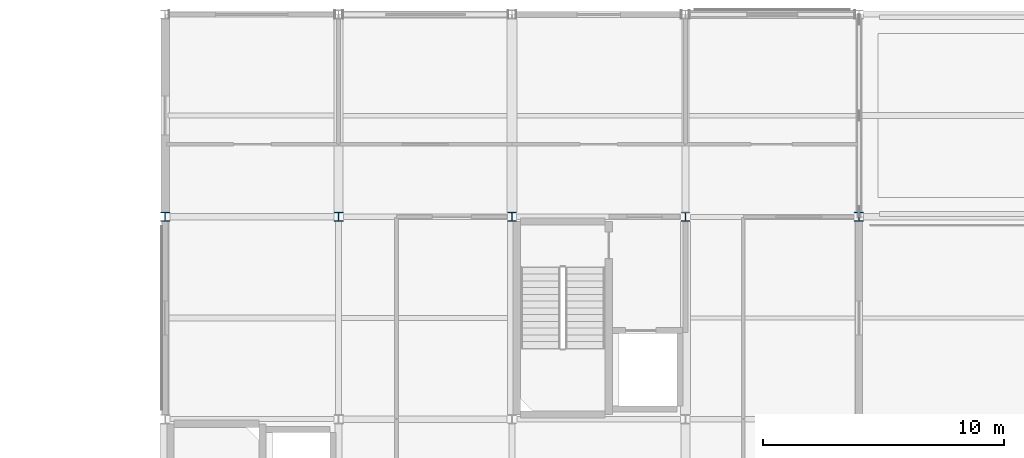
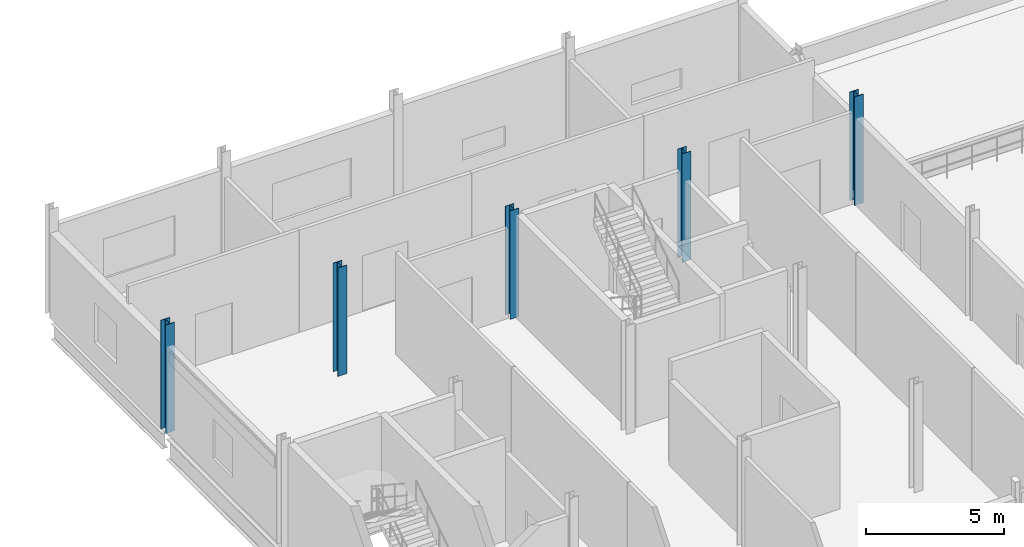
# One storey, part 6 of 72: 5 columns.
"""IFC4 building model written with IfcOpenShell, lengths in metres."""

from ifc_helpers import new_model, si_unit, direction, frame, origin, origin_2d, place, context, subcontext, project, spatial, i_section, extrude, material, material_profile, profile_set, type_object, element, save


model = new_model("IFC4")

# Units and contexts
model_context = context("Model", 3, precision=1e-05, world=origin(), true_north=direction((0.0, 1.0)))
body_context = subcontext(model_context, "Body", "Model", "MODEL_VIEW")
ifc_project = project(units=[si_unit("LENGTHUNIT", "METRE"), si_unit("AREAUNIT", "SQUARE_METRE"), si_unit("VOLUMEUNIT", "CUBIC_METRE"), si_unit("PLANEANGLEUNIT", "RADIAN"), si_unit("MASSUNIT", "GRAM", prefix="KILO")], contexts=[model_context])

# Site, building, storey
site_placement = place(None, origin())
site = spatial("IfcSite", under=ifc_project, at=site_placement, CompositionType="ELEMENT")
building_placement = place(site_placement, origin())
building = spatial("IfcBuilding", under=site, at=building_placement, Name="Calvrana Isthmian Art Gallery", CompositionType="ELEMENT")
storey_placement = place(building_placement, frame((0.0, 0.0, 15.0)))
storey = spatial("IfcBuildingStorey", under=building, at=storey_placement, Name="L03", CompositionType="ELEMENT", Elevation=15.0)

# Columns
ifc_material = material(Name="Steel ASTM A992 Gr 50", Category="steel")
ifc_material_profile_1 = material_profile(ifc_material, i_section(OverallWidth=0.37109375, OverallDepth=0.363037109375, WebThickness=0.01318359375, FlangeThickness=0.021728515625, FilletRadius=0.02490234375, at=origin_2d()), Name="W14X109")
ifc_profile_set_1 = profile_set([ifc_material_profile_1], Name="Steel ASTM A992 Gr 50")
column_type_1 = type_object("IfcColumnType", Name="COL-STL-W14X109", PredefinedType="COLUMN", material=ifc_profile_set_1)
column_1_placement = place(storey_placement, frame((127.199951171875, 38.39990234375, 0.0), z_axis=(0.0, 0.0, 1.0), x_axis=(1.0, 0.0, 0.0)))
element("IfcColumn", 1, at=column_1_placement, inside=storey, type_object=column_type_1, Name="Column 17/F L03", PredefinedType="COLUMN", context=body_context, shape_type="SweptSolid", body=[
    extrude(i_section(OverallWidth=0.37109375, OverallDepth=0.363037109375, WebThickness=0.01318359375, FlangeThickness=0.021728515625, FilletRadius=0.02490234375, at=origin_2d()), origin(), (0.0, 0.0, 1.0), 4.800048828125),
])
ifc_material_profile_2 = material_profile(ifc_material, i_section(OverallWidth=0.373046875, OverallDepth=0.367919921875, WebThickness=0.014892578125, FlangeThickness=0.02392578125, FilletRadius=0.02490234375, at=origin_2d()), Name="W14X120")
ifc_profile_set_2 = profile_set([ifc_material_profile_2], Name="Steel ASTM A992 Gr 50")
column_type_2 = type_object("IfcColumnType", Name="COL-STL-W14X120", PredefinedType="COLUMN", material=ifc_profile_set_2)
column_2_placement = place(storey_placement, frame((120.0, 38.39990234375, 0.0), z_axis=(0.0, 0.0, 1.0), x_axis=(1.0, 0.0, 0.0)))
element("IfcColumn", 2, at=column_2_placement, inside=storey, type_object=column_type_2, Name="Column 16/F L03", PredefinedType="COLUMN", context=body_context, shape_type="SweptSolid", body=[
    extrude(i_section(OverallWidth=0.373046875, OverallDepth=0.367919921875, WebThickness=0.014892578125, FlangeThickness=0.02392578125, FilletRadius=0.02490234375, at=origin_2d()), origin(), (0.0, 0.0, 1.0), 4.800048828125),
])
ifc_material_profile_3 = material_profile(ifc_material, i_section(OverallWidth=0.373046875, OverallDepth=0.373046875, WebThickness=0.016357421875, FlangeThickness=0.026123046875, FilletRadius=0.02490234375, at=origin_2d()), Name="W14X132")
ifc_profile_set_3 = profile_set([ifc_material_profile_3], Name="Steel ASTM A992 Gr 50")
column_type_3 = type_object("IfcColumnType", Name="COL-STL-W14X132", PredefinedType="COLUMN", material=ifc_profile_set_3)
for number, where, z_axis, x_axis, name in (
    (3, (112.800048828125, 38.39990234375, 0.0), (0.0, 0.0, 1.0), (1.0, 0.0, 0.0), "Column 15/F L03"),
    (4, (141.60009765625, 38.39990234375, 0.0), (0.0, 0.0, 1.0), (1.0, 0.0, 0.0), "Column 19/F L03"),
):
    element("IfcColumn", number, at=place(storey_placement, frame(where, z_axis=z_axis, x_axis=x_axis)), inside=storey, type_object=column_type_3, Name=name, PredefinedType="COLUMN", context=body_context, shape_type="SweptSolid", body=[
        extrude(i_section(OverallWidth=0.373046875, OverallDepth=0.373046875, WebThickness=0.016357421875, FlangeThickness=0.026123046875, FilletRadius=0.02490234375, at=origin_2d()), origin(), (0.0, 0.0, 1.0), 4.800048828125),
    ])
ifc_material_profile_4 = material_profile(ifc_material, i_section(OverallWidth=0.367919921875, OverallDepth=0.35595703125, WebThickness=0.01123046875, FlangeThickness=0.01806640625, FilletRadius=0.02490234375, at=origin_2d()), Name="W14X90")
ifc_profile_set_4 = profile_set([ifc_material_profile_4], Name="Steel ASTM A992 Gr 50")
column_type_4 = type_object("IfcColumnType", Name="COL-STL-W14X90", PredefinedType="COLUMN", material=ifc_profile_set_4)
column_3_placement = place(storey_placement, frame((134.39990234375, 38.39990234375, 0.0), z_axis=(0.0, 0.0, 1.0), x_axis=(1.0, 0.0, 0.0)))
element("IfcColumn", 5, at=column_3_placement, inside=storey, type_object=column_type_4, Name="Column 18/F L03", PredefinedType="COLUMN", context=body_context, shape_type="SweptSolid", body=[
    extrude(i_section(OverallWidth=0.367919921875, OverallDepth=0.35595703125, WebThickness=0.01123046875, FlangeThickness=0.01806640625, FilletRadius=0.02490234375, at=origin_2d()), origin(), (0.0, 0.0, 1.0), 4.800048828125),
])

save(model, "model.ifc")
